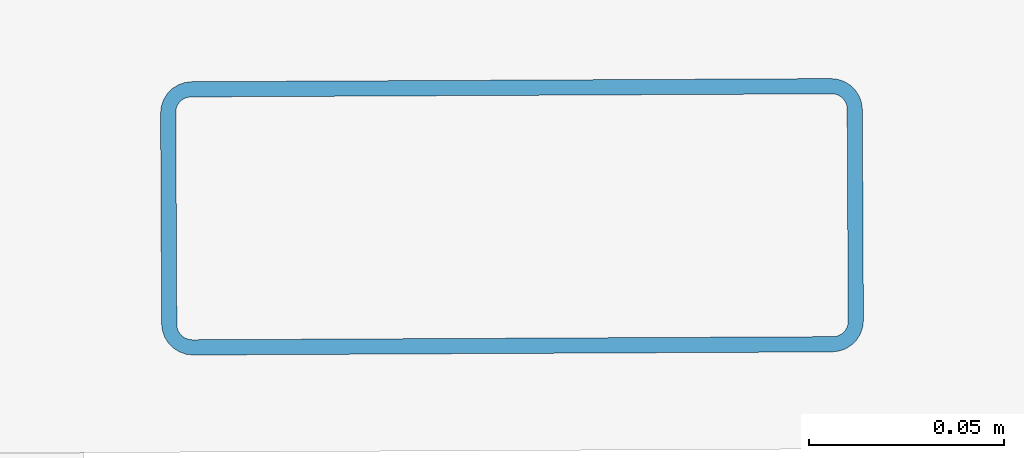
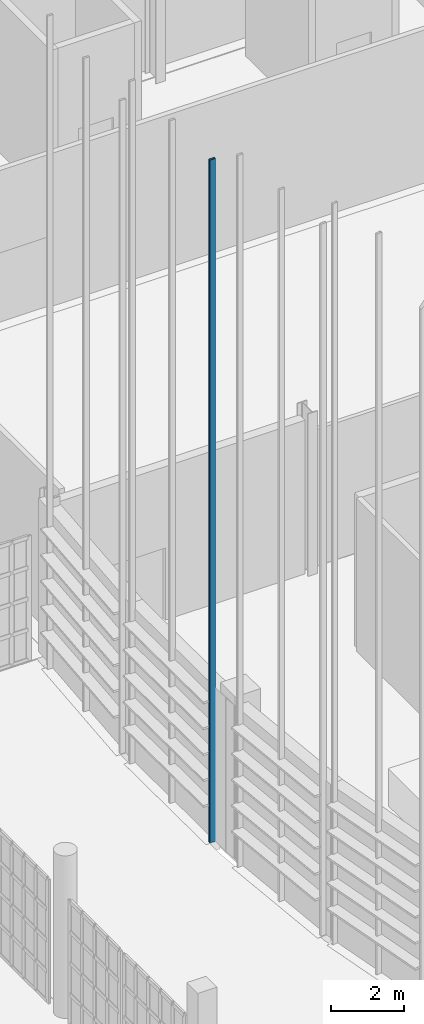
# One storey, part 90 of 372: 1 member.
"""IFC4 building model written with IfcOpenShell, lengths in metres."""

from ifc_helpers import new_model, si_unit, direction, frame, origin, origin_2d, place, context, subcontext, project, spatial, hollow_rectangle, extrude, material, material_profile, profile_set, type_object, element, save


model = new_model("IFC4")

# Units and contexts
model_context = context("Model", 3, precision=1e-05, world=origin(), true_north=direction((0.0, 1.0)))
body_context = subcontext(model_context, "Body", "Model", "MODEL_VIEW")
ifc_project = project(units=[si_unit("LENGTHUNIT", "METRE"), si_unit("AREAUNIT", "SQUARE_METRE"), si_unit("VOLUMEUNIT", "CUBIC_METRE"), si_unit("PLANEANGLEUNIT", "RADIAN"), si_unit("MASSUNIT", "GRAM", prefix="KILO")], contexts=[model_context])

# Site, building, storey
site_placement = place(None, origin())
site = spatial("IfcSite", under=ifc_project, at=site_placement, CompositionType="ELEMENT")
building_placement = place(site_placement, origin())
building = spatial("IfcBuilding", under=site, at=building_placement, Name="Kaelora Sail Theatre", CompositionType="ELEMENT")
storey_placement = place(building_placement, origin())
storey = spatial("IfcBuildingStorey", under=building, at=storey_placement, Name="L00", CompositionType="ELEMENT", Elevation=0.0)

# Member
ifc_material = material(Name="Anodised aluminium 6063-T6", Category="aluminium")
ifc_material_profile = material_profile(ifc_material, hollow_rectangle(XDim=0.070068359375, YDim=0.179931640625, WallThickness=0.00390625, InnerFilletRadius=0.00390625, OuterFilletRadius=0.008056640625, at=origin_2d()), Name="ALU-MULL 70x180x4")
ifc_profile_set = profile_set([ifc_material_profile], Name="Anodised aluminium 6063-T6")
member_type = type_object("IfcMemberType", Name="ARC-MEM-PST-160", PredefinedType="POST", material=ifc_profile_set)
member_placement = place(storey_placement, frame((25.2001953125, 51.141845703125, 0.0), z_axis=(0.0, 0.0, 1.0), x_axis=(-0.004886902454, 0.999988059021, 0.0)))
element("IfcMember", 1, at=member_placement, inside=storey, type_object=member_type, Name="Main Theatre Sail Drum solar louvre vertical support post C21-1", PredefinedType="POST", context=body_context, shape_type="SweptSolid", body=[
    extrude(hollow_rectangle(XDim=0.070068359375, YDim=0.179931640625, WallThickness=0.00390625, InnerFilletRadius=0.00390625, OuterFilletRadius=0.008056640625, at=origin_2d()), origin(), (0.0, 0.0, 1.0), 22.691162109375),
])

save(model, "model.ifc")
